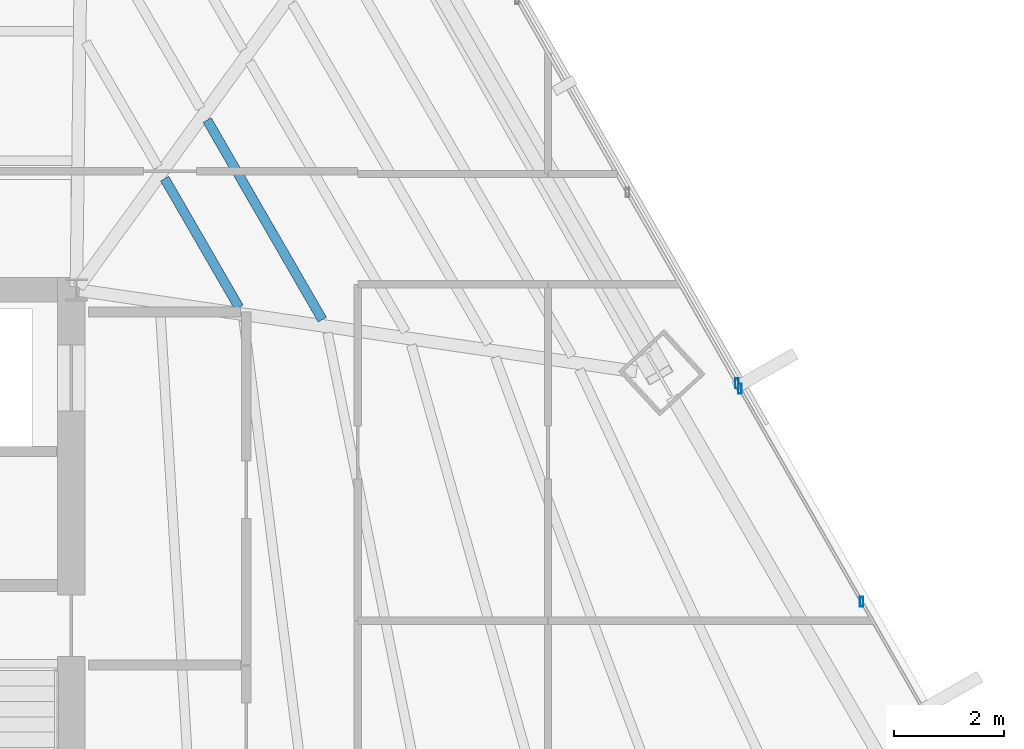
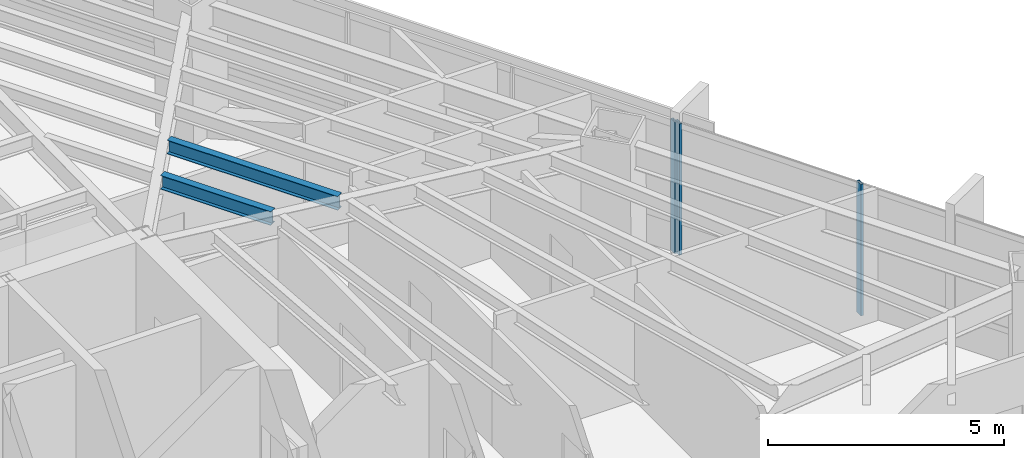
# One storey, part 21 of 35: 3 members, 2 beams, 2 elements without a shape of their own.
"""IFC4 building model written with IfcOpenShell, lengths in metres."""

from ifc_helpers import new_model, si_unit, direction, frame, origin, origin_2d, place, context, subcontext, project, spatial, hollow_rectangle, i_section, extrude, source, transform, mapped, material, material_profile, profile_set, type_object, type_shapes, element, aggregate, save


model = new_model("IFC4")

# Units and contexts
model_context = context("Model", 3, precision=1e-05, world=origin(), true_north=direction((0.0, 1.0)))
body_context = subcontext(model_context, "Body", "Model", "MODEL_VIEW")
ifc_project = project(units=[si_unit("LENGTHUNIT", "METRE"), si_unit("AREAUNIT", "SQUARE_METRE"), si_unit("VOLUMEUNIT", "CUBIC_METRE"), si_unit("PLANEANGLEUNIT", "RADIAN"), si_unit("MASSUNIT", "GRAM", prefix="KILO")], contexts=[model_context])

# Site, building, storey
site_placement = place(None, origin())
site = spatial("IfcSite", under=ifc_project, at=site_placement, CompositionType="ELEMENT")
building_placement = place(site_placement, origin())
building = spatial("IfcBuilding", under=site, at=building_placement, Name="Caelisora Broadcast Tower", CompositionType="ELEMENT")
storey_placement = place(building_placement, frame((0.0, 0.0, 90.800048828125)))
storey = spatial("IfcBuildingStorey", under=building, at=storey_placement, Name="L23", CompositionType="ELEMENT", Elevation=90.800048828125)

# Beams
ifc_material_1 = material(Name="Steel Grade 350 (AS/NZS 3679.1)", Category="steel")
ifc_material_profile_1 = material_profile(ifc_material_1, i_section(OverallWidth=0.172119140625, OverallDepth=0.358642578125, WebThickness=0.008056640625, FlangeThickness=0.012939453125, at=origin_2d()), Name="Steel Grade 350 (AS/NZS 3679.1)")
ifc_profile_set_1 = profile_set([ifc_material_profile_1], Name="Steel Grade 350 (AS/NZS 3679.1)")
beam_type = type_object("IfcBeamType", Name="SB02", PredefinedType="JOIST", material=ifc_profile_set_1)
shared_shape_1 = source(origin(), body_context, "Body", "SweptSolid", [
    extrude(i_section(OverallWidth=0.172119140625, OverallDepth=0.358642578125, WebThickness=0.008056640625, FlangeThickness=0.012939453125, at=origin_2d()), origin(), (0.0, 0.0, 1.0), 2.6943359375),
])
beam_1_placement = place(storey_placement, frame((48.44873046875, 29.681396484375, 3.220703125), z_axis=(-0.499978670142, 0.866037718234, 0.0), x_axis=(-0.866037718234, -0.499978670142, 0.0)))
element("IfcBeam", 1, at=beam_1_placement, inside=storey, type_object=beam_type, Name="L23 beam SB02", PredefinedType="JOIST", context=body_context, shape_type="MappedRepresentation", body=[
    mapped(shared_shape_1, transform((0.0, 0.0, 0.0), scale=1.0)),
])
shared_shape_2 = source(origin(), body_context, "Body", "SweptSolid", [
    extrude(i_section(OverallWidth=0.172119140625, OverallDepth=0.358642578125, WebThickness=0.008056640625, FlangeThickness=0.012939453125, at=origin_2d()), origin(), (0.0, 0.0, 1.0), 4.173828125),
])
type_shapes(beam_type, [shared_shape_1, shared_shape_2])
beam_2_placement = place(storey_placement, frame((49.958740234375, 29.460693359375, 3.220703125), z_axis=(-0.500014445159, 0.866017063708, 0.0), x_axis=(-0.866017063708, -0.500014445159, 0.0)))
element("IfcBeam", 2, at=beam_2_placement, inside=storey, type_object=beam_type, Name="L23 beam SB02", PredefinedType="JOIST", context=body_context, shape_type="MappedRepresentation", body=[
    mapped(shared_shape_2, transform((0.0, 0.0, 0.0), scale=1.0)),
])

# Curtain wall, member
ifc_material_2 = material(Name="Unitised Aluminium Insulated Shadow-Box Spandrel Curtain Wall", Category="aluminium")
curtain_wall_type_1 = type_object("IfcCurtainWallType", Name="CW-SP1", PredefinedType="NOTDEFINED", material=ifc_material_2)
curtain_wall_1_placement = place(storey_placement, origin())
curtain_wall_1 = element("IfcCurtainWall", 3, at=curtain_wall_1_placement, inside=storey, type_object=curtain_wall_type_1, Name="L23 curtain wall CW-SP1", PredefinedType="NOTDEFINED")
ifc_material_3 = material(Name="Aluminium 6063-T6 Anodised Terracotta Bronze", Category="aluminium")
ifc_material_profile_2 = material_profile(ifc_material_3, hollow_rectangle(XDim=0.06494140625, YDim=0.179931640625, WallThickness=0.00341796875, at=origin_2d()), Name="Aluminium 6063-T6 Anodised Terracotta Bronze")
ifc_profile_set_2 = profile_set([ifc_material_profile_2], Name="Aluminium 6063-T6 Anodised Terracotta Bronze")
member_type = type_object("IfcMemberType", Name="CWM-02", PredefinedType="MULLION", material=ifc_profile_set_2)
shared_shape_3 = source(origin(), body_context, "Body", "SweptSolid", [
    extrude(hollow_rectangle(XDim=0.06494140625, YDim=0.179931640625, WallThickness=0.00341796875, at=origin_2d()), origin(), (0.0, 0.0, 1.0), 3.39990234375),
])
type_shapes(member_type, [shared_shape_3])
member_1_placement = place(storey_placement, frame((57.472900390625, 28.302490234375, 0.0), z_axis=(0.0, 0.0, 1.0), x_axis=(1.0, 0.0, 0.0)))
member_1 = element("IfcMember", 4, at=member_1_placement, type_object=member_type, Name="L23-CW-B02 mullion #3", PredefinedType="MULLION", context=body_context, shape_type="MappedRepresentation", body=[
    mapped(shared_shape_3, transform((0.0, 0.0, 0.0), scale=1.0)),
])
aggregate(curtain_wall_1, [member_1])

# Curtain wall, members
ifc_material_4 = material(Name="Unitised Aluminium and Low-E Glass Curtain Wall", Category="glass")
curtain_wall_type_2 = type_object("IfcCurtainWallType", Name="CW-Z2", PredefinedType="NOTDEFINED", material=ifc_material_4)
curtain_wall_2_placement = place(storey_placement, origin())
curtain_wall_2 = element("IfcCurtainWall", 5, at=curtain_wall_2_placement, inside=storey, type_object=curtain_wall_type_2, Name="L23 curtain wall CW-Z2", PredefinedType="NOTDEFINED")
member_2_placement = place(storey_placement, frame((57.527587890625, 28.20703125, 0.0), z_axis=(0.0, 0.0, 1.0), x_axis=(1.0, 0.0, 0.0)))
member_2 = element("IfcMember", 6, at=member_2_placement, type_object=member_type, Name="L23-CW-B03 mullion #0", PredefinedType="MULLION", context=body_context, shape_type="MappedRepresentation", body=[
    mapped(shared_shape_3, transform((0.0, 0.0, 0.0), scale=1.0)),
])
member_3_placement = place(storey_placement, frame((59.73583984375, 24.346923828125, 0.0), z_axis=(0.0, 0.0, 1.0), x_axis=(1.0, 0.0, 0.0)))
member_3 = element("IfcMember", 7, at=member_3_placement, type_object=member_type, Name="L23-CW-B03 mullion #1", PredefinedType="MULLION", context=body_context, shape_type="MappedRepresentation", body=[
    mapped(shared_shape_3, transform((0.0, 0.0, 0.0), scale=1.0)),
])
aggregate(curtain_wall_2, [member_2, member_3])

save(model, "model.ifc")
